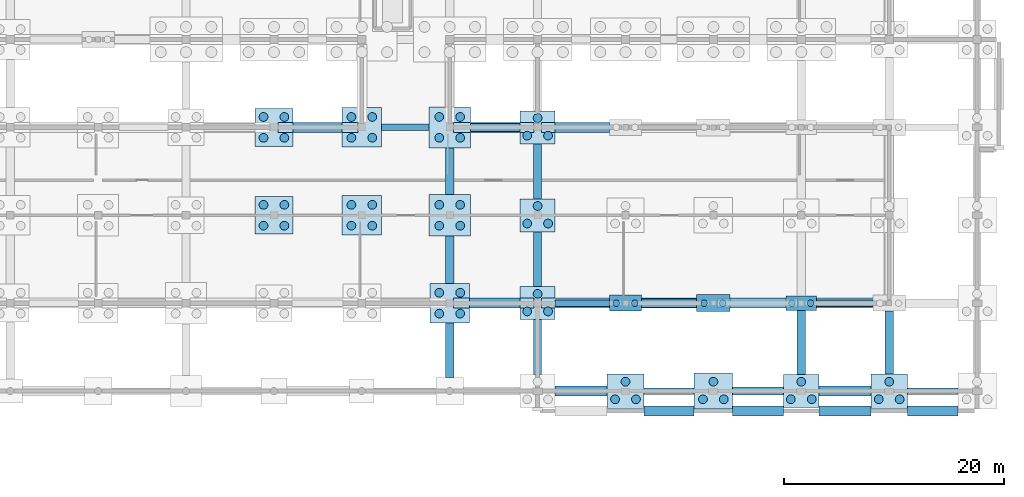
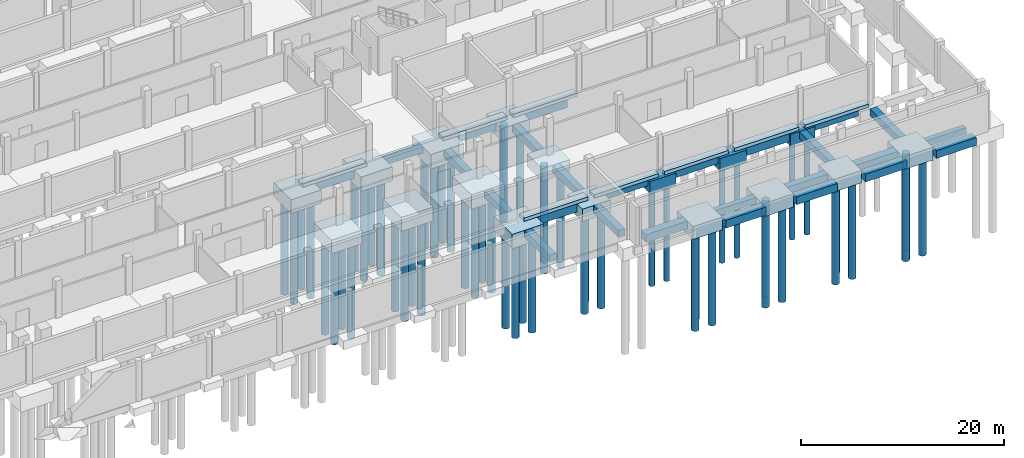
# One storey, part 11 of 51: 55 piles, 51 footings.
"""IFC4 building model written with IfcOpenShell, lengths in metres."""

from ifc_helpers import new_model, si_unit, direction, frame, origin, origin_2d, place, context, subcontext, project, spatial, rectangle, circle, extrude, material, material_profile, profile_set, type_object, element, save


model = new_model("IFC4")

# Units and contexts
model_context = context("Model", 3, precision=1e-05, world=origin(), true_north=direction((0.0, 1.0)))
body_context = subcontext(model_context, "Body", "Model", "MODEL_VIEW")
ifc_project = project(units=[si_unit("LENGTHUNIT", "METRE"), si_unit("AREAUNIT", "SQUARE_METRE"), si_unit("VOLUMEUNIT", "CUBIC_METRE"), si_unit("PLANEANGLEUNIT", "RADIAN"), si_unit("MASSUNIT", "GRAM", prefix="KILO")], contexts=[model_context])

# Site, building, storey
site_placement = place(None, origin())
site = spatial("IfcSite", under=ifc_project, at=site_placement, CompositionType="ELEMENT")
building_placement = place(site_placement, origin())
building = spatial("IfcBuilding", under=site, at=building_placement, Name="Jelvoka-Kovrelna Polytechnic", CompositionType="ELEMENT")
storey_placement = place(building_placement, frame((0.0, 0.0, -4.5)))
storey = spatial("IfcBuildingStorey", under=building, at=storey_placement, Name="B01", CompositionType="ELEMENT", Elevation=-4.5)

# Footings
ifc_material_1 = material(Name="Concrete C35/45", Category="concrete")
footing_type_1 = type_object("IfcFootingType", Name="Footing_PileCap_PC2A", PredefinedType="PILE_CAP", material=ifc_material_1)
footing_1_placement = place(storey_placement, frame((184.0, 8.0, -1.804931640625), z_axis=(0.0, 0.0, 1.0), x_axis=(1.0, 0.0, 0.0)))
element("IfcFooting", 1, at=footing_1_placement, inside=storey, type_object=footing_type_1, Name="Bored pile cap 030 (PC-2)", PredefinedType="PILE_CAP", context=body_context, shape_type="SweptSolid", body=[
    extrude(rectangle(XDim=2.800048828125, YDim=1.300048828125, at=origin_2d()), origin(), (0.0, 0.0, 1.0), 1.39990234375),
])
ifc_material_2 = material(Name="Concrete C35/45", Category="concrete")
footing_type_2 = type_object("IfcFootingType", Name="Footing_PileCap_PC2B", PredefinedType="PILE_CAP", material=ifc_material_2)
footing_2_placement = place(storey_placement, frame((168.0, 8.0, -1.85498046875), z_axis=(0.0, 0.0, 1.0), x_axis=(1.0, 0.0, 0.0)))
element("IfcFooting", 2, at=footing_2_placement, inside=storey, type_object=footing_type_2, Name="Bored pile cap 028 (PC-2)", PredefinedType="PILE_CAP", context=body_context, shape_type="SweptSolid", body=[
    extrude(rectangle(XDim=2.949951171875, YDim=1.449951171875, at=origin_2d()), origin(), (0.0, 0.0, 1.0), 1.449951171875),
])
ifc_material_3 = material(Name="Concrete C35/45", Category="concrete")
footing_type_3 = type_object("IfcFootingType", Name="Footing_PileCap_PC2C", PredefinedType="PILE_CAP", material=ifc_material_3)
footing_3_placement = place(storey_placement, frame((176.0, 8.0, -1.905029296875), z_axis=(0.0, 0.0, 1.0), x_axis=(1.0, 0.0, 0.0)))
element("IfcFooting", 3, at=footing_3_placement, inside=storey, type_object=footing_type_3, Name="Bored pile cap 029 (PC-2)", PredefinedType="PILE_CAP", context=body_context, shape_type="SweptSolid", body=[
    extrude(rectangle(XDim=3.050048828125, YDim=1.550048828125, at=origin_2d()), origin(), (0.0, 0.0, 1.0), 1.5),
])
ifc_material_4 = material(Name="Concrete C35/45", Category="concrete")
footing_type_4 = type_object("IfcFootingType", Name="Footing_PileCap_PC3A", PredefinedType="PILE_CAP", material=ifc_material_4)
for number, where, z_axis, x_axis, name in (
    (4, (184.0, 0.0, -1.905029296875), (0.0, 0.0, 1.0), (1.0, 0.0, 0.0), "Bored pile cap 009 (PC-3)"),
    (5, (160.0, 8.0, -1.905029296875), (0.0, 0.0, 1.0), (1.0, 0.0, 0.0), "Bored pile cap 027 (PC-3)"),
    (6, (160.0, 16.0, -1.905029296875), (0.0, 0.0, 1.0), (1.0, 0.0, 0.0), "Bored pile cap 048 (PC-3)"),
    (7, (160.0, 24.0, -1.905029296875), (0.0, 0.0, 1.0), (1.0, 0.0, 0.0), "Bored pile cap 072 (PC-3)"),
):
    element("IfcFooting", number, at=place(storey_placement, frame(where, z_axis=z_axis, x_axis=x_axis)), inside=storey, type_object=footing_type_4, Name=name, PredefinedType="PILE_CAP", context=body_context, shape_type="SweptSolid", body=[
        extrude(rectangle(XDim=3.199951171875, YDim=3.0, at=origin_2d()), origin(), (0.0, 0.0, 1.0), 1.5),
    ])
ifc_material_5 = material(Name="Concrete C35/45", Category="concrete")
footing_type_5 = type_object("IfcFootingType", Name="Footing_PileCap_PC3B", PredefinedType="PILE_CAP", material=ifc_material_5)
for number, where, z_axis, x_axis, name in (
    (8, (168.0, 0.0, -1.955078125), (0.0, 0.0, 1.0), (1.0, 0.0, 0.0), "Bored pile cap 007 (PC-3)"),
    (9, (192.0, 0.0, -1.955078125), (0.0, 0.0, 1.0), (1.0, 0.0, 0.0), "Bored pile cap 010 (PC-3)"),
):
    element("IfcFooting", number, at=place(storey_placement, frame(where, z_axis=z_axis, x_axis=x_axis)), inside=storey, type_object=footing_type_5, Name=name, PredefinedType="PILE_CAP", context=body_context, shape_type="SweptSolid", body=[
        extrude(rectangle(XDim=3.35009765625, YDim=3.14990234375, at=origin_2d()), origin(), (0.0, 0.0, 1.0), 1.550048828125),
    ])
ifc_material_6 = material(Name="Concrete C35/45", Category="concrete")
footing_type_6 = type_object("IfcFootingType", Name="Footing_PileCap_PC3C", PredefinedType="PILE_CAP", material=ifc_material_6)
footing_4_placement = place(storey_placement, frame((176.0, 0.0, -2.005126953125), z_axis=(0.0, 0.0, 1.0), x_axis=(1.0, 0.0, 0.0)))
element("IfcFooting", 10, at=footing_4_placement, inside=storey, type_object=footing_type_6, Name="Bored pile cap 008 (PC-3)", PredefinedType="PILE_CAP", context=body_context, shape_type="SweptSolid", body=[
    extrude(rectangle(XDim=3.5, YDim=3.25, at=origin_2d()), origin(), (0.0, 0.0, 1.0), 1.60009765625),
])
ifc_material_7 = material(Name="Concrete C35/45", Category="concrete")
footing_type_7 = type_object("IfcFootingType", Name="Footing_PileCap_PC4B", PredefinedType="PILE_CAP", material=ifc_material_7)
for number, where, z_axis, x_axis, name in (
    (11, (136.0, 16.0, -2.054931640625), (0.0, 0.0, 1.0), (1.0, 0.0, 0.0), "Bored pile cap 045 (PC-4)"),
    (12, (136.0, 24.0, -2.054931640625), (0.0, 0.0, 1.0), (1.0, 0.0, 0.0), "Bored pile cap 069 (PC-4)"),
):
    element("IfcFooting", number, at=place(storey_placement, frame(where, z_axis=z_axis, x_axis=x_axis)), inside=storey, type_object=footing_type_7, Name=name, PredefinedType="PILE_CAP", context=body_context, shape_type="SweptSolid", body=[
        extrude(rectangle(XDim=3.449951171875, YDim=3.449951171875, at=origin_2d()), origin(), (0.0, 0.0, 1.0), 1.64990234375),
    ])
ifc_material_8 = material(Name="Concrete C35/45", Category="concrete")
footing_type_8 = type_object("IfcFootingType", Name="Footing_PileCap_PC4C", PredefinedType="PILE_CAP", material=ifc_material_8)
for number, where, z_axis, x_axis, name in (
    (13, (152.0, 8.0, -2.10498046875), (0.0, 0.0, 1.0), (1.0, 0.0, 0.0), "Bored pile cap 026 (PC-4)"),
    (14, (144.0, 16.0, -2.10498046875), (0.0, 0.0, 1.0), (1.0, 0.0, 0.0), "Bored pile cap 046 (PC-4)"),
    (15, (144.0, 24.0, -2.10498046875), (0.0, 0.0, 1.0), (1.0, 0.0, 0.0), "Bored pile cap 070 (PC-4)"),
):
    element("IfcFooting", number, at=place(storey_placement, frame(where, z_axis=z_axis, x_axis=x_axis)), inside=storey, type_object=footing_type_8, Name=name, PredefinedType="PILE_CAP", context=body_context, shape_type="SweptSolid", body=[
        extrude(rectangle(XDim=3.60009765625, YDim=3.60009765625, at=origin_2d()), origin(), (0.0, 0.0, 1.0), 1.699951171875),
    ])
ifc_material_9 = material(Name="Concrete C35/45", Category="concrete")
footing_type_9 = type_object("IfcFootingType", Name="Footing_PileCap_PC4D", PredefinedType="PILE_CAP", material=ifc_material_9)
for number, where, z_axis, x_axis, name in (
    (16, (152.0, 16.0, -2.155029296875), (0.0, 0.0, 1.0), (1.0, 0.0, 0.0), "Bored pile cap 047 (PC-4)"),
    (17, (152.0, 24.0, -2.155029296875), (0.0, 0.0, 1.0), (1.0, 0.0, 0.0), "Bored pile cap 071 (PC-4)"),
):
    element("IfcFooting", number, at=place(storey_placement, frame(where, z_axis=z_axis, x_axis=x_axis)), inside=storey, type_object=footing_type_9, Name=name, PredefinedType="PILE_CAP", context=body_context, shape_type="SweptSolid", body=[
        extrude(rectangle(XDim=3.75, YDim=3.75, at=origin_2d()), origin(), (0.0, 0.0, 1.0), 1.75),
    ])
ifc_material_10 = material(Name="Concrete C35/45", Category="concrete")
footing_type_10 = type_object("IfcFootingType", Name="Footing_Strip_SF1", PredefinedType="STRIP_FOOTING", material=ifc_material_10)
footing_5_placement = place(storey_placement, frame((147.96240234375, 24.0, -1.155029296875), z_axis=(0.0, 0.0, 1.0), x_axis=(1.0, 0.0, 0.0)))
element("IfcFooting", 18, at=footing_5_placement, inside=storey, type_object=footing_type_10, Name="Strip foundation tie beam 183", PredefinedType="STRIP_FOOTING", context=body_context, shape_type="SweptSolid", body=[
    extrude(rectangle(XDim=4.321044921875, YDim=0.60009765625, at=origin_2d()), origin(), (0.0, 0.0, 1.0), 0.75),
])
footing_6_placement = place(storey_placement, frame((164.0625, 8.0, -1.155029296875), z_axis=(0.0, 0.0, 1.0), x_axis=(1.0, 0.0, 0.0)))
element("IfcFooting", 19, at=footing_6_placement, inside=storey, type_object=footing_type_10, Name="Strip foundation tie beam 213", PredefinedType="STRIP_FOOTING", context=body_context, shape_type="SweptSolid", body=[
    extrude(rectangle(XDim=4.9208984375, YDim=0.60009765625, at=origin_2d()), origin(), (0.0, 0.0, 1.0), 0.75),
])
footing_7_placement = place(storey_placement, frame((171.96240234375, 0.0, -1.155029296875), z_axis=(0.0, 0.0, 1.0), x_axis=(1.0, 0.0, 0.0)))
element("IfcFooting", 20, at=footing_7_placement, inside=storey, type_object=footing_type_10, Name="Strip foundation tie beam 232", PredefinedType="STRIP_FOOTING", context=body_context, shape_type="SweptSolid", body=[
    extrude(rectangle(XDim=4.571044921875, YDim=0.60009765625, at=origin_2d()), origin(), (0.0, 0.0, 1.0), 0.75),
])
footing_8_placement = place(storey_placement, frame((187.96240234375, 8.0, -1.155029296875), z_axis=(0.0, 0.0, 1.0), x_axis=(1.0, 0.0, 0.0)))
element("IfcFooting", 21, at=footing_8_placement, inside=storey, type_object=footing_type_10, Name="Strip foundation tie beam 252", PredefinedType="STRIP_FOOTING", context=body_context, shape_type="SweptSolid", body=[
    extrude(rectangle(XDim=5.12109375, YDim=0.60009765625, at=origin_2d()), origin(), (0.0, 0.0, 1.0), 0.75),
])
footing_9_placement = place(storey_placement, frame((195.96240234375, 0.0, -1.155029296875), z_axis=(0.0, 0.0, 1.0), x_axis=(1.0, 0.0, 0.0)))
element("IfcFooting", 22, at=footing_9_placement, inside=storey, type_object=footing_type_10, Name="Strip foundation tie beam 271", PredefinedType="STRIP_FOOTING", context=body_context, shape_type="SweptSolid", body=[
    extrude(rectangle(XDim=4.571044921875, YDim=0.60009765625, at=origin_2d()), origin(), (0.0, 0.0, 1.0), 0.75),
])
ifc_material_11 = material(Name="Concrete C35/45", Category="concrete")
footing_type_11 = type_object("IfcFootingType", Name="Footing_Strip_SF2", PredefinedType="STRIP_FOOTING", material=ifc_material_11)
footing_10_placement = place(storey_placement, frame((152.0, 3.72509765625, -1.255126953125), z_axis=(0.0, 0.0, 1.0), x_axis=(0.0, 1.0, 0.0)))
element("IfcFooting", 23, at=footing_10_placement, inside=storey, type_object=footing_type_11, Name="Strip foundation tie beam 191", PredefinedType="STRIP_FOOTING", context=body_context, shape_type="SweptSolid", body=[
    extrude(rectangle(XDim=4.946044921875, YDim=0.75, at=origin_2d()), origin(), (0.0, 0.0, 1.0), 0.85009765625),
])
footing_11_placement = place(storey_placement, frame((152.0, 11.96240234375, -1.255126953125), z_axis=(0.0, 0.0, 1.0), x_axis=(0.0, 1.0, 0.0)))
element("IfcFooting", 24, at=footing_11_placement, inside=storey, type_object=footing_type_11, Name="Strip foundation tie beam 193", PredefinedType="STRIP_FOOTING", context=body_context, shape_type="SweptSolid", body=[
    extrude(rectangle(XDim=4.321044921875, YDim=0.75, at=origin_2d()), origin(), (0.0, 0.0, 1.0), 0.85009765625),
])
footing_12_placement = place(storey_placement, frame((152.0, 20.0, -1.255126953125), z_axis=(0.0, 0.0, 1.0), x_axis=(0.0, 1.0, 0.0)))
element("IfcFooting", 25, at=footing_12_placement, inside=storey, type_object=footing_type_11, Name="Strip foundation tie beam 194", PredefinedType="STRIP_FOOTING", context=body_context, shape_type="SweptSolid", body=[
    extrude(rectangle(XDim=4.24609375, YDim=0.75, at=origin_2d()), origin(), (0.0, 0.0, 1.0), 0.85009765625),
])
footing_13_placement = place(storey_placement, frame((156.137451171875, 24.0, -1.255126953125), z_axis=(0.0, 0.0, 1.0), x_axis=(1.0, 0.0, 0.0)))
element("IfcFooting", 26, at=footing_13_placement, inside=storey, type_object=footing_type_11, Name="Strip foundation tie beam 195", PredefinedType="STRIP_FOOTING", context=body_context, shape_type="SweptSolid", body=[
    extrude(rectangle(XDim=4.52099609375, YDim=0.75, at=origin_2d()), origin(), (0.0, 0.0, 1.0), 0.85009765625),
])
for number, where, z_axis, x_axis, name in (
    (27, (160.0, 4.0, -1.255126953125), (0.0, 0.0, 1.0), (0.0, 1.0, 0.0), "Strip foundation tie beam 212"),
    (28, (160.0, 12.0, -1.255126953125), (0.0, 0.0, 1.0), (0.0, 1.0, 0.0), "Strip foundation tie beam 214"),
    (29, (160.0, 20.0, -1.255126953125), (0.0, 0.0, 1.0), (0.0, 1.0, 0.0), "Strip foundation tie beam 215"),
    (30, (171.97509765625, 8.0, -1.255126953125), (0.0, 0.0, 1.0), (1.0, 0.0, 0.0), "Strip foundation tie beam 233"),
):
    element("IfcFooting", number, at=place(storey_placement, frame(where, z_axis=z_axis, x_axis=x_axis)), inside=storey, type_object=footing_type_11, Name=name, PredefinedType="STRIP_FOOTING", context=body_context, shape_type="SweptSolid", body=[
        extrude(rectangle(XDim=4.99609375, YDim=0.75, at=origin_2d()), origin(), (0.0, 0.0, 1.0), 0.85009765625),
    ])
footing_14_placement = place(storey_placement, frame((180.074951171875, 0.0, -1.255126953125), z_axis=(0.0, 0.0, 1.0), x_axis=(1.0, 0.0, 0.0)))
element("IfcFooting", 31, at=footing_14_placement, inside=storey, type_object=footing_type_11, Name="Strip foundation tie beam 241", PredefinedType="STRIP_FOOTING", context=body_context, shape_type="SweptSolid", body=[
    extrude(rectangle(XDim=4.64599609375, YDim=0.75, at=origin_2d()), origin(), (0.0, 0.0, 1.0), 0.85009765625),
])
footing_15_placement = place(storey_placement, frame((184.0, 4.425048828125, -1.255126953125), z_axis=(0.0, 0.0, 1.0), x_axis=(0.0, 1.0, 0.0)))
element("IfcFooting", 32, at=footing_15_placement, inside=storey, type_object=footing_type_11, Name="Strip foundation tie beam 251", PredefinedType="STRIP_FOOTING", context=body_context, shape_type="SweptSolid", body=[
    extrude(rectangle(XDim=5.845947265625, YDim=0.75, at=origin_2d()), origin(), (0.0, 0.0, 1.0), 0.85009765625),
])
footing_16_placement = place(storey_placement, frame((192.0, 4.425048828125, -1.255126953125), z_axis=(0.0, 0.0, 1.0), x_axis=(0.0, 1.0, 0.0)))
element("IfcFooting", 33, at=footing_16_placement, inside=storey, type_object=footing_type_11, Name="Strip foundation tie beam 272", PredefinedType="STRIP_FOOTING", context=body_context, shape_type="SweptSolid", body=[
    extrude(rectangle(XDim=5.696044921875, YDim=0.75, at=origin_2d()), origin(), (0.0, 0.0, 1.0), 0.85009765625),
])
ifc_material_12 = material(Name="Concrete C35/45", Category="concrete")
footing_type_12 = type_object("IfcFootingType", Name="Footing_Strip_SF3", PredefinedType="STRIP_FOOTING", material=ifc_material_12)
footing_17_placement = place(storey_placement, frame((139.96240234375, 24.0, -1.35498046875), z_axis=(0.0, 0.0, 1.0), x_axis=(1.0, 0.0, 0.0)))
element("IfcFooting", 34, at=footing_17_placement, inside=storey, type_object=footing_type_12, Name="Strip foundation tie beam 174", PredefinedType="STRIP_FOOTING", context=body_context, shape_type="SweptSolid", body=[
    extrude(rectangle(XDim=4.470947265625, YDim=0.89990234375, at=origin_2d()), origin(), (0.0, 0.0, 1.0), 0.949951171875),
])
footing_18_placement = place(storey_placement, frame((156.10009765625, 8.0, -1.35498046875), z_axis=(0.0, 0.0, 1.0), x_axis=(1.0, 0.0, 0.0)))
element("IfcFooting", 35, at=footing_18_placement, inside=storey, type_object=footing_type_12, Name="Strip foundation tie beam 192", PredefinedType="STRIP_FOOTING", context=body_context, shape_type="SweptSolid", body=[
    extrude(rectangle(XDim=4.595947265625, YDim=0.89990234375, at=origin_2d()), origin(), (0.0, 0.0, 1.0), 0.949951171875),
])
footing_19_placement = place(storey_placement, frame((163.96240234375, 0.0, -1.35498046875), z_axis=(0.0, 0.0, 1.0), x_axis=(1.0, 0.0, 0.0)))
element("IfcFooting", 36, at=footing_19_placement, inside=storey, type_object=footing_type_12, Name="Strip foundation tie beam 211", PredefinedType="STRIP_FOOTING", context=body_context, shape_type="SweptSolid", body=[
    extrude(rectangle(XDim=4.720947265625, YDim=0.89990234375, at=origin_2d()), origin(), (0.0, 0.0, 1.0), 0.949951171875),
])
footing_20_placement = place(storey_placement, frame((164.0625, 24.0, -1.35498046875), z_axis=(0.0, 0.0, 1.0), x_axis=(1.0, 0.0, 0.0)))
element("IfcFooting", 37, at=footing_20_placement, inside=storey, type_object=footing_type_12, Name="Strip foundation tie beam 216", PredefinedType="STRIP_FOOTING", context=body_context, shape_type="SweptSolid", body=[
    extrude(rectangle(XDim=4.9208984375, YDim=0.89990234375, at=origin_2d()), origin(), (0.0, 0.0, 1.0), 0.949951171875),
])
footing_21_placement = place(storey_placement, frame((180.0625, 8.0, -1.35498046875), z_axis=(0.0, 0.0, 1.0), x_axis=(1.0, 0.0, 0.0)))
element("IfcFooting", 38, at=footing_21_placement, inside=storey, type_object=footing_type_12, Name="Strip foundation tie beam 242", PredefinedType="STRIP_FOOTING", context=body_context, shape_type="SweptSolid", body=[
    extrude(rectangle(XDim=5.071044921875, YDim=0.89990234375, at=origin_2d()), origin(), (0.0, 0.0, 1.0), 0.949951171875),
])
footing_22_placement = place(storey_placement, frame((187.96240234375, 0.0, -1.35498046875), z_axis=(0.0, 0.0, 1.0), x_axis=(1.0, 0.0, 0.0)))
element("IfcFooting", 39, at=footing_22_placement, inside=storey, type_object=footing_type_12, Name="Strip foundation tie beam 250", PredefinedType="STRIP_FOOTING", context=body_context, shape_type="SweptSolid", body=[
    extrude(rectangle(XDim=4.720947265625, YDim=0.89990234375, at=origin_2d()), origin(), (0.0, 0.0, 1.0), 0.949951171875),
])
footing_23_placement = place(storey_placement, frame((171.96240234375, -1.800048828125, -1.35498046875), z_axis=(0.0, 0.0, 1.0), x_axis=(1.0, 0.0, 0.0)))
element("IfcFooting", 40, at=footing_23_placement, inside=storey, type_object=footing_type_12, Name="Strip foundation tie beam 353", PredefinedType="STRIP_FOOTING", context=body_context, shape_type="SweptSolid", body=[
    extrude(rectangle(XDim=4.571044921875, YDim=0.89990234375, at=origin_2d()), origin(), (0.0, 0.0, 1.0), 0.949951171875),
])
footing_24_placement = place(storey_placement, frame((180.074951171875, -1.800048828125, -1.35498046875), z_axis=(0.0, 0.0, 1.0), x_axis=(1.0, 0.0, 0.0)))
element("IfcFooting", 41, at=footing_24_placement, inside=storey, type_object=footing_type_12, Name="Strip foundation tie beam 354", PredefinedType="STRIP_FOOTING", context=body_context, shape_type="SweptSolid", body=[
    extrude(rectangle(XDim=4.64599609375, YDim=0.89990234375, at=origin_2d()), origin(), (0.0, 0.0, 1.0), 0.949951171875),
])
footing_25_placement = place(storey_placement, frame((187.96240234375, -1.800048828125, -1.35498046875), z_axis=(0.0, 0.0, 1.0), x_axis=(1.0, 0.0, 0.0)))
element("IfcFooting", 42, at=footing_25_placement, inside=storey, type_object=footing_type_12, Name="Strip foundation tie beam 355", PredefinedType="STRIP_FOOTING", context=body_context, shape_type="SweptSolid", body=[
    extrude(rectangle(XDim=4.720947265625, YDim=0.89990234375, at=origin_2d()), origin(), (0.0, 0.0, 1.0), 0.949951171875),
])
footing_26_placement = place(storey_placement, frame((195.96240234375, -1.800048828125, -1.35498046875), z_axis=(0.0, 0.0, 1.0), x_axis=(1.0, 0.0, 0.0)))
element("IfcFooting", 43, at=footing_26_placement, inside=storey, type_object=footing_type_12, Name="Strip foundation tie beam 356", PredefinedType="STRIP_FOOTING", context=body_context, shape_type="SweptSolid", body=[
    extrude(rectangle(XDim=4.571044921875, YDim=0.89990234375, at=origin_2d()), origin(), (0.0, 0.0, 1.0), 0.949951171875),
])
for number, where, z_axis, x_axis, name in (
    (44, (140.0, 24.0, -0.40478515625), (0.0, 0.0, 1.0), (1.0, 0.0, 0.0), "Strip foundation plinth beam B01W-021"),
    (45, (156.0, 8.0, -0.40478515625), (0.0, 0.0, 1.0), (1.0, 0.0, 0.0), "Strip foundation plinth beam B01W-023"),
    (46, (156.0, 24.0, -0.40478515625), (0.0, 0.0, 1.0), (1.0, 0.0, 0.0), "Strip foundation plinth beam B01W-024"),
    (47, (164.0, 8.0, -0.40478515625), (0.0, 0.0, 1.0), (1.0, 0.0, 0.0), "Strip foundation plinth beam B01W-025"),
    (48, (164.0, 24.0, -0.40478515625), (0.0, 0.0, 1.0), (1.0, 0.0, 0.0), "Strip foundation plinth beam B01W-026"),
    (49, (172.0, 8.0, -0.40478515625), (0.0, 0.0, 1.0), (1.0, 0.0, 0.0), "Strip foundation plinth beam B01W-027"),
    (50, (180.0, 8.0, -0.40478515625), (0.0, 0.0, 1.0), (1.0, 0.0, 0.0), "Strip foundation plinth beam B01W-029"),
    (51, (188.0, 8.0, -0.40478515625), (0.0, 0.0, 1.0), (1.0, 0.0, 0.0), "Strip foundation plinth beam B01W-031"),
):
    element("IfcFooting", number, at=place(storey_placement, frame(where, z_axis=z_axis, x_axis=x_axis)), inside=storey, type_object=footing_type_12, Name=name, PredefinedType="STRIP_FOOTING", context=body_context, shape_type="SweptSolid", body=[
        extrude(rectangle(XDim=7.300048828125, YDim=0.89990234375, at=origin_2d()), origin(), (0.0, 0.0, 1.0), 0.405029296875),
    ])

# Piles
ifc_material_13 = material(Name="Concrete C35/45", Category="concrete")
ifc_material_profile_1 = material_profile(ifc_material_13, circle(Radius=0.300048828125, at=origin_2d()), Name="PILE D600")
ifc_profile_set_1 = profile_set([ifc_material_profile_1], Name="Concrete C35/45")
pile_type_1 = type_object("IfcPileType", Name="Pile_Bored_600", PredefinedType="BORED", material=ifc_profile_set_1)
for number, where, z_axis, x_axis, name in (
    (52, (167.14990234375, 8.0, -1.7548828125), (0.0, 0.0, -1.0), (1.0, 0.0, 0.0), "Bored concrete pile 028-1"),
    (53, (168.85009765625, 8.0, -1.7548828125), (0.0, 0.0, -1.0), (1.0, 0.0, 0.0), "Bored concrete pile 028-2"),
):
    element("IfcPile", number, at=place(storey_placement, frame(where, z_axis=z_axis, x_axis=x_axis)), inside=storey, type_object=pile_type_1, Name=name, PredefinedType="BORED", context=body_context, shape_type="SweptSolid", body=[
        extrude(circle(Radius=0.300048828125, at=origin_2d()), origin(), (0.0, 0.0, 1.0), 11.7451171875),
    ])
for number, where, z_axis, x_axis, name in (
    (54, (175.14990234375, 8.0, -1.804931640625), (0.0, 0.0, -1.0), (1.0, 0.0, 0.0), "Bored concrete pile 029-1"),
    (55, (176.85009765625, 8.0, -1.804931640625), (0.0, 0.0, -1.0), (1.0, 0.0, 0.0), "Bored concrete pile 029-2"),
):
    element("IfcPile", number, at=place(storey_placement, frame(where, z_axis=z_axis, x_axis=x_axis)), inside=storey, type_object=pile_type_1, Name=name, PredefinedType="BORED", context=body_context, shape_type="SweptSolid", body=[
        extrude(circle(Radius=0.300048828125, at=origin_2d()), origin(), (0.0, 0.0, 1.0), 11.695068359375),
    ])
for number, where, z_axis, x_axis, name in (
    (56, (183.14990234375, 8.0, -1.705078125), (0.0, 0.0, -1.0), (1.0, 0.0, 0.0), "Bored concrete pile 030-1"),
    (57, (184.85009765625, 8.0, -1.705078125), (0.0, 0.0, -1.0), (1.0, 0.0, 0.0), "Bored concrete pile 030-2"),
):
    element("IfcPile", number, at=place(storey_placement, frame(where, z_axis=z_axis, x_axis=x_axis)), inside=storey, type_object=pile_type_1, Name=name, PredefinedType="BORED", context=body_context, shape_type="SweptSolid", body=[
        extrude(circle(Radius=0.300048828125, at=origin_2d()), origin(), (0.0, 0.0, 1.0), 11.794921875),
    ])
ifc_material_14 = material(Name="Concrete C35/45", Category="concrete")
ifc_material_profile_2 = material_profile(ifc_material_14, circle(Radius=0.39990234375, at=origin_2d()), Name="PILE D800")
ifc_profile_set_2 = profile_set([ifc_material_profile_2], Name="Concrete C35/45")
pile_type_2 = type_object("IfcPileType", Name="Pile_Bored_800", PredefinedType="BORED", material=ifc_profile_set_2)
for number, where, z_axis, x_axis, name in (
    (58, (167.050048828125, -0.75, -1.85498046875), (0.0, 0.0, -1.0), (1.0, 0.0, 0.0), "Bored concrete pile 007-1"),
    (59, (168.949951171875, -0.75, -1.85498046875), (0.0, 0.0, -1.0), (1.0, 0.0, 0.0), "Bored concrete pile 007-2"),
    (60, (168.0, 0.85009765625, -1.85498046875), (0.0, 0.0, -1.0), (1.0, 0.0, 0.0), "Bored concrete pile 007-3"),
):
    element("IfcPile", number, at=place(storey_placement, frame(where, z_axis=z_axis, x_axis=x_axis)), inside=storey, type_object=pile_type_2, Name=name, PredefinedType="BORED", context=body_context, shape_type="SweptSolid", body=[
        extrude(circle(Radius=0.39990234375, at=origin_2d()), origin(), (0.0, 0.0, 1.0), 11.64501953125),
    ])
for number, where, z_axis, x_axis, name in (
    (61, (175.050048828125, -0.75, -1.905029296875), (0.0, 0.0, -1.0), (1.0, 0.0, 0.0), "Bored concrete pile 008-1"),
    (62, (176.949951171875, -0.75, -1.905029296875), (0.0, 0.0, -1.0), (1.0, 0.0, 0.0), "Bored concrete pile 008-2"),
    (63, (176.0, 0.85009765625, -1.905029296875), (0.0, 0.0, -1.0), (1.0, 0.0, 0.0), "Bored concrete pile 008-3"),
):
    element("IfcPile", number, at=place(storey_placement, frame(where, z_axis=z_axis, x_axis=x_axis)), inside=storey, type_object=pile_type_2, Name=name, PredefinedType="BORED", context=body_context, shape_type="SweptSolid", body=[
        extrude(circle(Radius=0.39990234375, at=origin_2d()), origin(), (0.0, 0.0, 1.0), 11.594970703125),
    ])
for number, where, z_axis, x_axis, name in (
    (64, (183.050048828125, -0.75, -1.804931640625), (0.0, 0.0, -1.0), (1.0, 0.0, 0.0), "Bored concrete pile 009-1"),
    (65, (184.949951171875, -0.75, -1.804931640625), (0.0, 0.0, -1.0), (1.0, 0.0, 0.0), "Bored concrete pile 009-2"),
    (66, (184.0, 0.85009765625, -1.804931640625), (0.0, 0.0, -1.0), (1.0, 0.0, 0.0), "Bored concrete pile 009-3"),
):
    element("IfcPile", number, at=place(storey_placement, frame(where, z_axis=z_axis, x_axis=x_axis)), inside=storey, type_object=pile_type_2, Name=name, PredefinedType="BORED", context=body_context, shape_type="SweptSolid", body=[
        extrude(circle(Radius=0.39990234375, at=origin_2d()), origin(), (0.0, 0.0, 1.0), 11.695068359375),
    ])
for number, where, z_axis, x_axis, name in (
    (67, (191.050048828125, -0.75, -1.85498046875), (0.0, 0.0, -1.0), (1.0, 0.0, 0.0), "Bored concrete pile 010-1"),
    (68, (192.949951171875, -0.75, -1.85498046875), (0.0, 0.0, -1.0), (1.0, 0.0, 0.0), "Bored concrete pile 010-2"),
    (69, (192.0, 0.85009765625, -1.85498046875), (0.0, 0.0, -1.0), (1.0, 0.0, 0.0), "Bored concrete pile 010-3"),
):
    element("IfcPile", number, at=place(storey_placement, frame(where, z_axis=z_axis, x_axis=x_axis)), inside=storey, type_object=pile_type_2, Name=name, PredefinedType="BORED", context=body_context, shape_type="SweptSolid", body=[
        extrude(circle(Radius=0.39990234375, at=origin_2d()), origin(), (0.0, 0.0, 1.0), 11.64501953125),
    ])
for number, where, z_axis, x_axis, name in (
    (70, (151.050048828125, 7.050048828125, -2.0048828125), (0.0, 0.0, -1.0), (1.0, 0.0, 0.0), "Bored concrete pile 026-1"),
    (71, (152.949951171875, 7.050048828125, -2.0048828125), (0.0, 0.0, -1.0), (1.0, 0.0, 0.0), "Bored concrete pile 026-2"),
    (72, (151.050048828125, 8.949951171875, -2.0048828125), (0.0, 0.0, -1.0), (1.0, 0.0, 0.0), "Bored concrete pile 026-3"),
    (73, (152.949951171875, 8.949951171875, -2.0048828125), (0.0, 0.0, -1.0), (1.0, 0.0, 0.0), "Bored concrete pile 026-4"),
):
    element("IfcPile", number, at=place(storey_placement, frame(where, z_axis=z_axis, x_axis=x_axis)), inside=storey, type_object=pile_type_2, Name=name, PredefinedType="BORED", context=body_context, shape_type="SweptSolid", body=[
        extrude(circle(Radius=0.39990234375, at=origin_2d()), origin(), (0.0, 0.0, 1.0), 11.4951171875),
    ])
for number, where, z_axis, x_axis, name in (
    (74, (159.050048828125, 7.25, -1.804931640625), (0.0, 0.0, -1.0), (1.0, 0.0, 0.0), "Bored concrete pile 027-1"),
    (75, (160.949951171875, 7.25, -1.804931640625), (0.0, 0.0, -1.0), (1.0, 0.0, 0.0), "Bored concrete pile 027-2"),
    (76, (160.0, 8.85009765625, -1.804931640625), (0.0, 0.0, -1.0), (1.0, 0.0, 0.0), "Bored concrete pile 027-3"),
):
    element("IfcPile", number, at=place(storey_placement, frame(where, z_axis=z_axis, x_axis=x_axis)), inside=storey, type_object=pile_type_2, Name=name, PredefinedType="BORED", context=body_context, shape_type="SweptSolid", body=[
        extrude(circle(Radius=0.39990234375, at=origin_2d()), origin(), (0.0, 0.0, 1.0), 11.695068359375),
    ])
for number, where, z_axis, x_axis, name in (
    (77, (135.050048828125, 15.050048828125, -1.955078125), (0.0, 0.0, -1.0), (1.0, 0.0, 0.0), "Bored concrete pile 045-1"),
    (78, (136.949951171875, 15.050048828125, -1.955078125), (0.0, 0.0, -1.0), (1.0, 0.0, 0.0), "Bored concrete pile 045-2"),
    (79, (135.050048828125, 16.949951171875, -1.955078125), (0.0, 0.0, -1.0), (1.0, 0.0, 0.0), "Bored concrete pile 045-3"),
    (80, (136.949951171875, 16.949951171875, -1.955078125), (0.0, 0.0, -1.0), (1.0, 0.0, 0.0), "Bored concrete pile 045-4"),
):
    element("IfcPile", number, at=place(storey_placement, frame(where, z_axis=z_axis, x_axis=x_axis)), inside=storey, type_object=pile_type_2, Name=name, PredefinedType="BORED", context=body_context, shape_type="SweptSolid", body=[
        extrude(circle(Radius=0.39990234375, at=origin_2d()), origin(), (0.0, 0.0, 1.0), 11.544921875),
    ])
for number, where, z_axis, x_axis, name in (
    (81, (143.050048828125, 15.050048828125, -2.0048828125), (0.0, 0.0, -1.0), (1.0, 0.0, 0.0), "Bored concrete pile 046-1"),
    (82, (144.949951171875, 15.050048828125, -2.0048828125), (0.0, 0.0, -1.0), (1.0, 0.0, 0.0), "Bored concrete pile 046-2"),
    (83, (143.050048828125, 16.949951171875, -2.0048828125), (0.0, 0.0, -1.0), (1.0, 0.0, 0.0), "Bored concrete pile 046-3"),
    (84, (144.949951171875, 16.949951171875, -2.0048828125), (0.0, 0.0, -1.0), (1.0, 0.0, 0.0), "Bored concrete pile 046-4"),
):
    element("IfcPile", number, at=place(storey_placement, frame(where, z_axis=z_axis, x_axis=x_axis)), inside=storey, type_object=pile_type_2, Name=name, PredefinedType="BORED", context=body_context, shape_type="SweptSolid", body=[
        extrude(circle(Radius=0.39990234375, at=origin_2d()), origin(), (0.0, 0.0, 1.0), 11.4951171875),
    ])
for number, where, z_axis, x_axis, name in (
    (85, (151.050048828125, 15.050048828125, -2.054931640625), (0.0, 0.0, -1.0), (1.0, 0.0, 0.0), "Bored concrete pile 047-1"),
    (86, (152.949951171875, 15.050048828125, -2.054931640625), (0.0, 0.0, -1.0), (1.0, 0.0, 0.0), "Bored concrete pile 047-2"),
    (87, (151.050048828125, 16.949951171875, -2.054931640625), (0.0, 0.0, -1.0), (1.0, 0.0, 0.0), "Bored concrete pile 047-3"),
    (88, (152.949951171875, 16.949951171875, -2.054931640625), (0.0, 0.0, -1.0), (1.0, 0.0, 0.0), "Bored concrete pile 047-4"),
):
    element("IfcPile", number, at=place(storey_placement, frame(where, z_axis=z_axis, x_axis=x_axis)), inside=storey, type_object=pile_type_2, Name=name, PredefinedType="BORED", context=body_context, shape_type="SweptSolid", body=[
        extrude(circle(Radius=0.39990234375, at=origin_2d()), origin(), (0.0, 0.0, 1.0), 11.445068359375),
    ])
for number, where, z_axis, x_axis, name in (
    (89, (159.050048828125, 15.25, -1.804931640625), (0.0, 0.0, -1.0), (1.0, 0.0, 0.0), "Bored concrete pile 048-1"),
    (90, (160.949951171875, 15.25, -1.804931640625), (0.0, 0.0, -1.0), (1.0, 0.0, 0.0), "Bored concrete pile 048-2"),
    (91, (160.0, 16.85009765625, -1.804931640625), (0.0, 0.0, -1.0), (1.0, 0.0, 0.0), "Bored concrete pile 048-3"),
):
    element("IfcPile", number, at=place(storey_placement, frame(where, z_axis=z_axis, x_axis=x_axis)), inside=storey, type_object=pile_type_2, Name=name, PredefinedType="BORED", context=body_context, shape_type="SweptSolid", body=[
        extrude(circle(Radius=0.39990234375, at=origin_2d()), origin(), (0.0, 0.0, 1.0), 11.695068359375),
    ])
for number, where, z_axis, x_axis, name in (
    (92, (135.050048828125, 23.050048828125, -1.955078125), (0.0, 0.0, -1.0), (1.0, 0.0, 0.0), "Bored concrete pile 069-1"),
    (93, (136.949951171875, 23.050048828125, -1.955078125), (0.0, 0.0, -1.0), (1.0, 0.0, 0.0), "Bored concrete pile 069-2"),
    (94, (135.050048828125, 24.949951171875, -1.955078125), (0.0, 0.0, -1.0), (1.0, 0.0, 0.0), "Bored concrete pile 069-3"),
    (95, (136.949951171875, 24.949951171875, -1.955078125), (0.0, 0.0, -1.0), (1.0, 0.0, 0.0), "Bored concrete pile 069-4"),
):
    element("IfcPile", number, at=place(storey_placement, frame(where, z_axis=z_axis, x_axis=x_axis)), inside=storey, type_object=pile_type_2, Name=name, PredefinedType="BORED", context=body_context, shape_type="SweptSolid", body=[
        extrude(circle(Radius=0.39990234375, at=origin_2d()), origin(), (0.0, 0.0, 1.0), 11.544921875),
    ])
for number, where, z_axis, x_axis, name in (
    (96, (143.050048828125, 23.050048828125, -2.0048828125), (0.0, 0.0, -1.0), (1.0, 0.0, 0.0), "Bored concrete pile 070-1"),
    (97, (144.949951171875, 23.050048828125, -2.0048828125), (0.0, 0.0, -1.0), (1.0, 0.0, 0.0), "Bored concrete pile 070-2"),
    (98, (143.050048828125, 24.949951171875, -2.0048828125), (0.0, 0.0, -1.0), (1.0, 0.0, 0.0), "Bored concrete pile 070-3"),
    (99, (144.949951171875, 24.949951171875, -2.0048828125), (0.0, 0.0, -1.0), (1.0, 0.0, 0.0), "Bored concrete pile 070-4"),
):
    element("IfcPile", number, at=place(storey_placement, frame(where, z_axis=z_axis, x_axis=x_axis)), inside=storey, type_object=pile_type_2, Name=name, PredefinedType="BORED", context=body_context, shape_type="SweptSolid", body=[
        extrude(circle(Radius=0.39990234375, at=origin_2d()), origin(), (0.0, 0.0, 1.0), 11.4951171875),
    ])
for number, where, z_axis, x_axis, name in (
    (100, (151.050048828125, 23.050048828125, -2.054931640625), (0.0, 0.0, -1.0), (1.0, 0.0, 0.0), "Bored concrete pile 071-1"),
    (101, (152.949951171875, 23.050048828125, -2.054931640625), (0.0, 0.0, -1.0), (1.0, 0.0, 0.0), "Bored concrete pile 071-2"),
    (102, (151.050048828125, 24.949951171875, -2.054931640625), (0.0, 0.0, -1.0), (1.0, 0.0, 0.0), "Bored concrete pile 071-3"),
    (103, (152.949951171875, 24.949951171875, -2.054931640625), (0.0, 0.0, -1.0), (1.0, 0.0, 0.0), "Bored concrete pile 071-4"),
):
    element("IfcPile", number, at=place(storey_placement, frame(where, z_axis=z_axis, x_axis=x_axis)), inside=storey, type_object=pile_type_2, Name=name, PredefinedType="BORED", context=body_context, shape_type="SweptSolid", body=[
        extrude(circle(Radius=0.39990234375, at=origin_2d()), origin(), (0.0, 0.0, 1.0), 11.445068359375),
    ])
for number, where, z_axis, x_axis, name in (
    (104, (159.050048828125, 23.25, -1.804931640625), (0.0, 0.0, -1.0), (1.0, 0.0, 0.0), "Bored concrete pile 072-1"),
    (105, (160.949951171875, 23.25, -1.804931640625), (0.0, 0.0, -1.0), (1.0, 0.0, 0.0), "Bored concrete pile 072-2"),
    (106, (160.0, 24.85009765625, -1.804931640625), (0.0, 0.0, -1.0), (1.0, 0.0, 0.0), "Bored concrete pile 072-3"),
):
    element("IfcPile", number, at=place(storey_placement, frame(where, z_axis=z_axis, x_axis=x_axis)), inside=storey, type_object=pile_type_2, Name=name, PredefinedType="BORED", context=body_context, shape_type="SweptSolid", body=[
        extrude(circle(Radius=0.39990234375, at=origin_2d()), origin(), (0.0, 0.0, 1.0), 11.695068359375),
    ])

save(model, "model.ifc")
